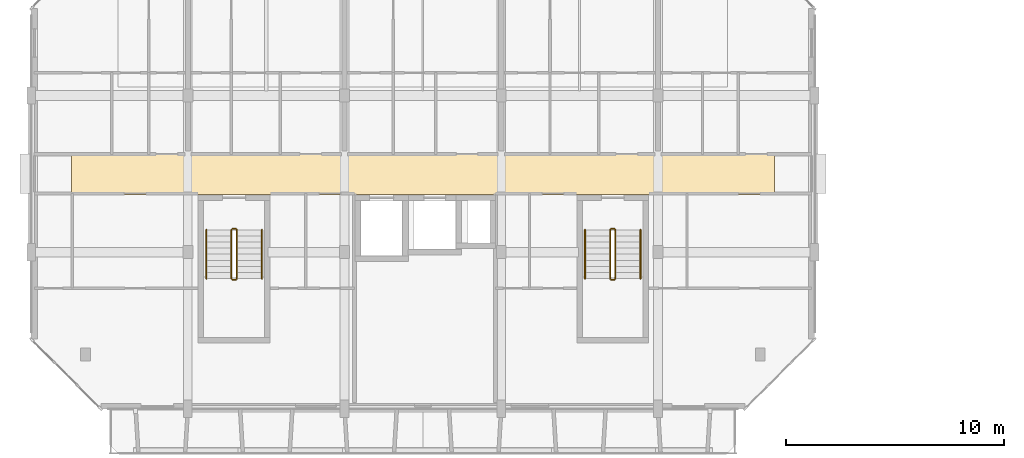
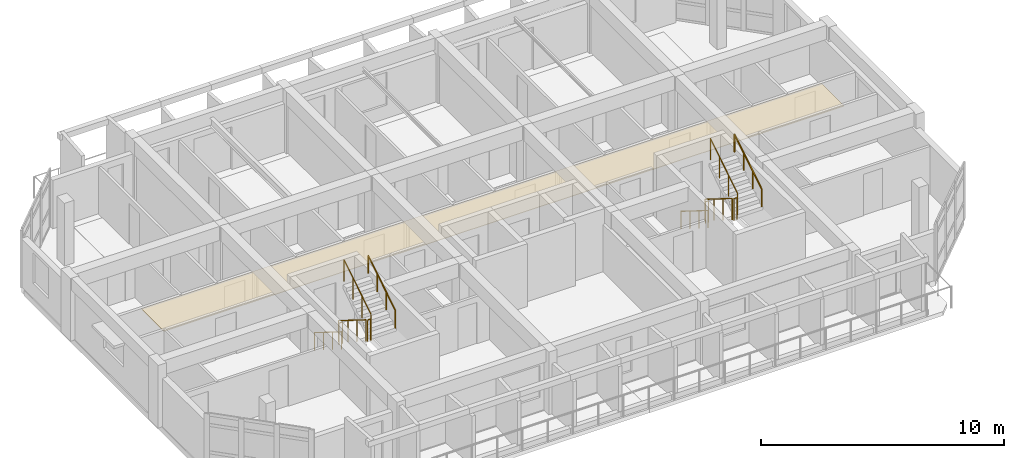
# One storey, part 38 of 44: 12 railings, 1 covering.
"""IFC4 building model written with IfcOpenShell, lengths in metres."""

import ifcopenshell
import ifcopenshell.guid

model = None  # the IFC model being written
_history = None  # IfcOwnerHistory: only IFC2X3 demands one
_inside = {}  # id of a spatial element -> (the spatial element, [elements in it])
_under = {}  # id of a project, library or spatial element -> (it, [spatial elements below it])
_declared = {}  # id of a project -> (the project, [libraries it declares])
_typed = {}  # id of a type object -> (the type object, [elements of that type])
_made_of = {}  # id of a material, layer set ... -> (it, [elements and type objects made of it])


def new_model(schema):
    """Start an empty IFC model of exactly this schema.

    Asked for "IFC4X3", IfcOpenShell would pick the latest addendum, in which some entities
    have other attributes; the version numbers below select the first issue.
    IFC2X3 requires an IfcOwnerHistory on every rooted entity: one is made here for all.
    """
    global model, _history
    if schema == "IFC4X3":
        model = ifcopenshell.file(schema_version=(4, 3, 0, 0))
    else:
        model = ifcopenshell.file(schema=schema)
    _inside.clear()
    _under.clear()
    _declared.clear()
    _typed.clear()
    _made_of.clear()
    _history = None
    if model.schema == "IFC2X3":
        org = make("IfcOrganization", Name="unknown")
        user = make(
            "IfcPersonAndOrganization",
            ThePerson=make("IfcPerson", FamilyName="unknown"),
            TheOrganization=org,
        )
        app = make(
            "IfcApplication",
            ApplicationDeveloper=org,
            Version="unknown",
            ApplicationFullName="unknown",
            ApplicationIdentifier="unknown",
        )
        _history = make(
            "IfcOwnerHistory",
            OwningUser=user,
            OwningApplication=app,
            ChangeAction="ADDED",
            CreationDate=0,
        )
    return model


def make(cls, **values):
    """One entity of the class cls with the attributes given. An attribute that is None is left unset."""
    return model.create_entity(
        cls, **{name: value for name, value in values.items() if value is not None}
    )


def rooted(cls, **values):
    """An entity with a GlobalId (a new one), such as an element, a storey or a relation."""
    return make(cls, GlobalId=ifcopenshell.guid.new(), OwnerHistory=_history, **values)


def si_unit(unit_type, name, prefix=None):
    """IfcSIUnit, for example si_unit("LENGTHUNIT", "METRE", prefix="MILLI")."""
    return make("IfcSIUnit", UnitType=unit_type, Prefix=prefix, Name=name)


def assignment(units):
    """IfcUnitAssignment: the units of a project."""
    return None if units is None else make("IfcUnitAssignment", Units=units)


def point(xyz):
    """IfcCartesianPoint."""
    return None if xyz is None else make("IfcCartesianPoint", Coordinates=xyz)


def direction(xyz):
    """IfcDirection."""
    return None if xyz is None else make("IfcDirection", DirectionRatios=xyz)


def frame(location, z_axis=None, x_axis=None):
    """IfcAxis2Placement3D, a coordinate frame: its origin and axes. An axis left out is left unset."""
    return make(
        "IfcAxis2Placement3D",
        Location=point(location),
        Axis=direction(z_axis),
        RefDirection=direction(x_axis),
    )


def frame_2d(location, x_axis=None):
    """IfcAxis2Placement2D, a coordinate frame in the plane: its origin and x axis."""
    return make(
        "IfcAxis2Placement2D", Location=point(location), RefDirection=direction(x_axis)
    )


def origin():
    """The frame at (0, 0, 0) with its axes left unset."""
    return frame((0.0, 0.0, 0.0))


def origin_2d():
    """The frame at (0, 0) in the plane with its x axis left unset."""
    return frame_2d((0.0, 0.0))


def place(relative_to, where):
    """IfcLocalPlacement: puts the frame where relative to a parent placement (None: the world)."""
    return make(
        "IfcLocalPlacement", PlacementRelTo=relative_to, RelativePlacement=where
    )


def context(
    kind, dimensions, precision=None, world=None, true_north=None, identifier=None
):
    """IfcGeometricRepresentationContext, for example the 3D "Model" context."""
    return make(
        "IfcGeometricRepresentationContext",
        ContextIdentifier=identifier,
        ContextType=kind,
        CoordinateSpaceDimension=dimensions,
        Precision=precision,
        WorldCoordinateSystem=world,
        TrueNorth=true_north,
    )


def subcontext(parent, identifier, kind, view, scale=None):
    """IfcGeometricRepresentationSubContext, for example "Body" below "Model"."""
    return make(
        "IfcGeometricRepresentationSubContext",
        ContextIdentifier=identifier,
        ContextType=kind,
        ParentContext=parent,
        TargetScale=scale,
        TargetView=view,
    )


def project(units=None, contexts=None):
    """IfcProject with its units and contexts."""
    return rooted(
        "IfcProject",
        Name="project",
        RepresentationContexts=contexts,
        UnitsInContext=assignment(units),
    )


def spatial(cls, under=None, at=None, **own):
    """A site, building, storey or space (cls), placed at a placement, below another one or the project."""
    s = rooted(cls, ObjectPlacement=at, **own)
    if under is not None:
        _under.setdefault(under.id(), (under, []))[1].append(s)
    return s


def polyline(points):
    """IfcPolyline through the points."""
    return make("IfcPolyline", Points=[point(p) for p in points])


def profile(cls, at=None, kind="AREA", **sizes):
    """A parametric profile (cls). Its sizes go by their IFC names, for example OverallWidth=200.0."""
    return make(cls, ProfileType=kind, Position=at, **sizes)


def circle(**sizes):
    """IfcCircleProfileDef."""
    return profile("IfcCircleProfileDef", **sizes)


def outline(outer, holes=None, kind="AREA"):
    """IfcArbitraryClosedProfileDef: a profile drawn as a closed curve; with holes, ...WithVoids."""
    if holes is None:
        return make("IfcArbitraryClosedProfileDef", ProfileType=kind, OuterCurve=outer)
    return make(
        "IfcArbitraryProfileDefWithVoids",
        ProfileType=kind,
        OuterCurve=outer,
        InnerCurves=holes,
    )


def extrude(swept, where, along, depth):
    """IfcExtrudedAreaSolid: the profile swept, set in the frame where, extruded along a direction by depth."""
    return make(
        "IfcExtrudedAreaSolid",
        SweptArea=swept,
        Position=where,
        ExtrudedDirection=direction(along),
        Depth=depth,
    )


def shape(context_of_items, identifier, shape_type, items):
    """IfcShapeRepresentation: the items that make up one representation, for example the "Body"."""
    return make(
        "IfcShapeRepresentation",
        ContextOfItems=context_of_items,
        RepresentationIdentifier=identifier,
        RepresentationType=shape_type,
        Items=items,
    )


def material(Name=None, Category=None):
    """IfcMaterial."""
    return make("IfcMaterial", Name=Name, Category=Category)


def layer(
    of_material, thickness, ventilated=None, Name=None, Category=None, Priority=None
):
    """IfcMaterialLayer: one layer of a wall or slab, of a material (None: an air gap)."""
    return make(
        "IfcMaterialLayer",
        Material=of_material,
        LayerThickness=thickness,
        IsVentilated=ventilated,
        Name=Name,
        Category=Category,
        Priority=Priority,
    )


def layer_set(layers, Name=None):
    """IfcMaterialLayerSet."""
    return make("IfcMaterialLayerSet", MaterialLayers=layers, LayerSetName=Name)


def made_of(thing, what):
    """Note that an element or type object is made of a material, layer set ...; save() writes the relation."""
    if what is not None:
        _made_of.setdefault(what.id(), (what, []))[1].append(thing)
    return thing


def type_object(cls, material=None, **own):
    """A type object (cls), such as IfcWallType, which elements share."""
    return made_of(rooted(cls, **own), material)


def element(
    cls,
    number,
    at=None,
    inside=None,
    cuts=None,
    type_object=None,
    material=None,
    context=None,
    identifier="Body",
    shape_type=None,
    held_by="IfcProductDefinitionShape",
    body=None,
    shapes=None,
    **own,
):
    """One element of the class cls, such as IfcWall. Its Tag is "e" and its number.

    at: its placement. inside: the storey or other place that contains it. cuts: it is an
    opening in that element (IfcRelVoidsElement). A single representation is given by context,
    identifier, shape_type and body (its items); several are given by shapes. held_by: the class
    of the entity that holds the representations. save() writes the other relations.
    """
    e = rooted(cls, Tag="e%d" % number, ObjectPlacement=at, **own)
    if body is not None:
        shapes = [shape(context, identifier, shape_type, body)]
    if shapes is not None:
        e.Representation = make(held_by, Representations=shapes)
    if inside is not None:
        _inside.setdefault(inside.id(), (inside, []))[1].append(e)
    if cuts is not None:
        rooted(
            "IfcRelVoidsElement", RelatingBuildingElement=cuts, RelatedOpeningElement=e
        )
    if type_object is not None:
        _typed.setdefault(type_object.id(), (type_object, []))[1].append(e)
    return made_of(e, material)


def aggregate(whole, parts):
    """IfcRelAggregates: a whole, such as a stair, and the parts it consists of."""
    return rooted("IfcRelAggregates", RelatingObject=whole, RelatedObjects=parts)


def save(model, path):
    """Write the relations noted so far, then the file.

    IfcRelAggregates (storeys below a building ...), IfcRelContainedInSpatialStructure (elements
    in a storey), IfcRelDefinesByType, IfcRelAssociatesMaterial and IfcRelDeclares: one each for
    every whole, place, type object, material and project.
    """
    for whole, parts in _under.values():
        aggregate(whole, parts)
    for where, things in _inside.values():
        rooted(
            "IfcRelContainedInSpatialStructure",
            RelatedElements=things,
            RelatingStructure=where,
        )
    for kind, things in _typed.values():
        rooted("IfcRelDefinesByType", RelatedObjects=things, RelatingType=kind)
    for what, things in _made_of.values():
        rooted("IfcRelAssociatesMaterial", RelatedObjects=things, RelatingMaterial=what)
    for by, libraries in _declared.values():
        rooted("IfcRelDeclares", RelatingContext=by, RelatedDefinitions=libraries)
    model.write(path)


model = new_model("IFC4")

# Units and contexts
model_context = context("Model", 3, precision=1e-05, world=origin(), true_north=direction((0.0, 1.0)))
body_context = subcontext(model_context, "Body", "Model", "MODEL_VIEW")
ifc_project = project(units=[si_unit("LENGTHUNIT", "METRE"), si_unit("AREAUNIT", "SQUARE_METRE"), si_unit("VOLUMEUNIT", "CUBIC_METRE"), si_unit("PLANEANGLEUNIT", "RADIAN"), si_unit("MASSUNIT", "GRAM", prefix="KILO")], contexts=[model_context])

# Site, building, storey
site_placement = place(None, origin())
site = spatial("IfcSite", under=ifc_project, at=site_placement, CompositionType="ELEMENT")
building_placement = place(site_placement, origin())
building = spatial("IfcBuilding", under=site, at=building_placement, Name="Ochrevale Crest", CompositionType="ELEMENT")
storey_placement = place(building_placement, frame((0.0, 0.0, 21.300048828125)))
storey = spatial("IfcBuildingStorey", under=building, at=storey_placement, Name="L06", CompositionType="ELEMENT", Elevation=21.300048828125)

# Covering
ifc_material_1 = material(Name="Gypsum plasterboard", Category="gypsum")
ifc_layer = layer(ifc_material_1, 0.02490234375)
ifc_layer_set = layer_set([ifc_layer], Name="Gypsum plasterboard")
covering_type = type_object("IfcCoveringType", Name="COV-CEIL-GYP", PredefinedType="CEILING", material=ifc_layer_set)
covering_placement = place(storey_placement, frame((0.0, 0.0, 2.280029296875)))
element("IfcCovering", 1, at=covering_placement, inside=storey, type_object=covering_type, Name="Block B L06 acoustic corridor ceiling", PredefinedType="CEILING", context=body_context, shape_type="SweptSolid", body=[
    extrude(outline(polyline([(1.85009765625, 81.860107421875), (34.14990234375, 81.860107421875), (34.14990234375, 83.739990234375), (1.85009765625, 83.739990234375), (1.85009765625, 81.860107421875)])), origin(), (0.0, 0.0, 1.0), 0.02490234375),
])

# Railings
ifc_material_2 = material(Name="Galvanised steel", Category="steel")
railing_type_1 = type_object("IfcRailingType", Name="RL-ST-GUARD", PredefinedType="BALUSTRADE", material=ifc_material_2)
railing_1_placement = place(storey_placement, frame((9.199951171875, 80.22509765625, 0.175048828125)))
element("IfcRailing", 2, at=railing_1_placement, inside=storey, type_object=railing_type_1, Name="L06 ST-B1 stair guard 1", PredefinedType="BALUSTRADE", context=body_context, shape_type="SweptSolid", body=[
    extrude(circle(Radius=0.02392578125, at=origin_2d()), frame((0.0, 0.0, 1.076171875), z_axis=(0.0, -0.848013881152, 0.529974015752), x_axis=(1.0, 0.0, 0.0)), (0.0, 0.0, 1.0), 2.641357421875),
    extrude(circle(Radius=0.02099609375, at=origin_2d()), origin(), (0.0, 0.0, 1.0), 1.052001953125),
    extrude(circle(Radius=0.02099609375, at=origin_2d()), frame((0.0, -0.74658203125, 0.466552734375)), (0.0, 0.0, 1.0), 1.052001953125),
    extrude(circle(Radius=0.02099609375, at=origin_2d()), frame((0.0, -1.493408203125, 0.933349609375)), (0.0, 0.0, 1.0), 1.052001953125),
    extrude(circle(Radius=0.02099609375, at=origin_2d()), frame((0.0, -2.239990234375, 1.39990234375)), (0.0, 0.0, 1.0), 1.052001953125),
])
railing_2_placement = place(storey_placement, frame((9.25, 77.93505859375, 1.574951171875)))
element("IfcRailing", 3, at=railing_2_placement, inside=storey, type_object=railing_type_1, Name="L06 ST-B1 stair guard 2", PredefinedType="BALUSTRADE", context=body_context, shape_type="SweptSolid", body=[
    extrude(circle(Radius=0.02392578125, at=origin_2d()), frame((0.0, 0.0, 1.076171875), z_axis=(1.0, 0.0, 0.0), x_axis=(0.0, 1.0, 0.0)), (0.0, 0.0, 1.0), 0.14990234375),
    extrude(circle(Radius=0.02099609375, at=origin_2d()), origin(), (0.0, 0.0, 1.0), 1.052001953125),
    extrude(circle(Radius=0.02099609375, at=origin_2d()), frame((0.14990234375, 0.0, 0.0)), (0.0, 0.0, 1.0), 1.052001953125),
])
railing_3_placement = place(storey_placement, frame((9.449951171875, 77.985107421875, 1.75)))
element("IfcRailing", 4, at=railing_3_placement, inside=storey, type_object=railing_type_1, Name="L06 ST-B1 stair guard 3", PredefinedType="BALUSTRADE", context=body_context, shape_type="SweptSolid", body=[
    extrude(circle(Radius=0.02392578125, at=origin_2d()), frame((0.0, 0.0, 1.076171875), z_axis=(0.0, 0.848013881152, 0.529974015752), x_axis=(-1.0, 0.0, 0.0)), (0.0, 0.0, 1.0), 2.641357421875),
    extrude(circle(Radius=0.02099609375, at=origin_2d()), origin(), (0.0, 0.0, 1.0), 1.052001953125),
    extrude(circle(Radius=0.02099609375, at=origin_2d()), frame((0.0, 0.74658203125, 0.466552734375)), (0.0, 0.0, 1.0), 1.052001953125),
    extrude(circle(Radius=0.02099609375, at=origin_2d()), frame((0.0, 1.493408203125, 0.933349609375)), (0.0, 0.0, 1.0), 1.052001953125),
    extrude(circle(Radius=0.02099609375, at=origin_2d()), frame((0.0, 2.239990234375, 1.39990234375)), (0.0, 0.0, 1.0), 1.052001953125),
])
railing_4_placement = place(storey_placement, frame((9.25, 80.27490234375, 0.0)))
element("IfcRailing", 5, at=railing_4_placement, inside=storey, type_object=railing_type_1, Name="L06 ST-B1 stair guard 4", PredefinedType="BALUSTRADE", context=body_context, shape_type="SweptSolid", body=[
    extrude(circle(Radius=0.02392578125, at=origin_2d()), frame((0.0, 0.0, 1.076171875), z_axis=(1.0, 0.0, 0.0), x_axis=(0.0, 1.0, 0.0)), (0.0, 0.0, 1.0), 0.14990234375),
    extrude(circle(Radius=0.02099609375, at=origin_2d()), origin(), (0.0, 0.0, 1.0), 1.052001953125),
    extrude(circle(Radius=0.02099609375, at=origin_2d()), frame((0.14990234375, 0.0, 0.0)), (0.0, 0.0, 1.0), 1.052001953125),
])
railing_5_placement = place(storey_placement, frame((26.60009765625, 80.22509765625, 0.175048828125)))
element("IfcRailing", 6, at=railing_5_placement, inside=storey, type_object=railing_type_1, Name="L06 ST-B2 stair guard 1", PredefinedType="BALUSTRADE", context=body_context, shape_type="SweptSolid", body=[
    extrude(circle(Radius=0.02392578125, at=origin_2d()), frame((0.0, 0.0, 1.076171875), z_axis=(0.0, -0.848013881152, 0.529974015752), x_axis=(1.0, 0.0, 0.0)), (0.0, 0.0, 1.0), 2.641357421875),
    extrude(circle(Radius=0.02099609375, at=origin_2d()), origin(), (0.0, 0.0, 1.0), 1.052001953125),
    extrude(circle(Radius=0.02099609375, at=origin_2d()), frame((0.0, -0.74658203125, 0.466552734375)), (0.0, 0.0, 1.0), 1.052001953125),
    extrude(circle(Radius=0.02099609375, at=origin_2d()), frame((0.0, -1.493408203125, 0.933349609375)), (0.0, 0.0, 1.0), 1.052001953125),
    extrude(circle(Radius=0.02099609375, at=origin_2d()), frame((0.0, -2.239990234375, 1.39990234375)), (0.0, 0.0, 1.0), 1.052001953125),
])
railing_6_placement = place(storey_placement, frame((26.64990234375, 77.93505859375, 1.574951171875)))
element("IfcRailing", 7, at=railing_6_placement, inside=storey, type_object=railing_type_1, Name="L06 ST-B2 stair guard 2", PredefinedType="BALUSTRADE", context=body_context, shape_type="SweptSolid", body=[
    extrude(circle(Radius=0.02392578125, at=origin_2d()), frame((0.0, 0.0, 1.076171875), z_axis=(1.0, 0.0, 0.0), x_axis=(0.0, 1.0, 0.0)), (0.0, 0.0, 1.0), 0.150146484375),
    extrude(circle(Radius=0.02099609375, at=origin_2d()), origin(), (0.0, 0.0, 1.0), 1.052001953125),
    extrude(circle(Radius=0.02099609375, at=origin_2d()), frame((0.150146484375, 0.0, 0.0)), (0.0, 0.0, 1.0), 1.052001953125),
])
railing_7_placement = place(storey_placement, frame((26.85009765625, 77.985107421875, 1.75)))
element("IfcRailing", 8, at=railing_7_placement, inside=storey, type_object=railing_type_1, Name="L06 ST-B2 stair guard 3", PredefinedType="BALUSTRADE", context=body_context, shape_type="SweptSolid", body=[
    extrude(circle(Radius=0.02392578125, at=origin_2d()), frame((0.0, 0.0, 1.076171875), z_axis=(0.0, 0.848013881152, 0.529974015752), x_axis=(-1.0, 0.0, 0.0)), (0.0, 0.0, 1.0), 2.641357421875),
    extrude(circle(Radius=0.02099609375, at=origin_2d()), origin(), (0.0, 0.0, 1.0), 1.052001953125),
    extrude(circle(Radius=0.02099609375, at=origin_2d()), frame((0.0, 0.74658203125, 0.466552734375)), (0.0, 0.0, 1.0), 1.052001953125),
    extrude(circle(Radius=0.02099609375, at=origin_2d()), frame((0.0, 1.493408203125, 0.933349609375)), (0.0, 0.0, 1.0), 1.052001953125),
    extrude(circle(Radius=0.02099609375, at=origin_2d()), frame((0.0, 2.239990234375, 1.39990234375)), (0.0, 0.0, 1.0), 1.052001953125),
])
railing_8_placement = place(storey_placement, frame((26.64990234375, 80.27490234375, 0.0)))
element("IfcRailing", 9, at=railing_8_placement, inside=storey, type_object=railing_type_1, Name="L06 ST-B2 stair guard 4", PredefinedType="BALUSTRADE", context=body_context, shape_type="SweptSolid", body=[
    extrude(circle(Radius=0.02392578125, at=origin_2d()), frame((0.0, 0.0, 1.076171875), z_axis=(1.0, 0.0, 0.0), x_axis=(0.0, 1.0, 0.0)), (0.0, 0.0, 1.0), 0.150146484375),
    extrude(circle(Radius=0.02099609375, at=origin_2d()), origin(), (0.0, 0.0, 1.0), 1.052001953125),
    extrude(circle(Radius=0.02099609375, at=origin_2d()), frame((0.150146484375, 0.0, 0.0)), (0.0, 0.0, 1.0), 1.052001953125),
])
ifc_material_3 = material(Name="Stainless steel", Category="steel")
railing_type_2 = type_object("IfcRailingType", Name="RL-ST-HRAIL", PredefinedType="HANDRAIL", material=ifc_material_3)
railing_9_placement = place(storey_placement, frame((8.050048828125, 80.22509765625, 0.175048828125)))
element("IfcRailing", 10, at=railing_9_placement, inside=storey, type_object=railing_type_2, Name="L06 ST-B1 stair handrail 1", PredefinedType="HANDRAIL", context=body_context, shape_type="SweptSolid", body=[
    extrude(circle(Radius=0.02392578125, at=origin_2d()), frame((0.0, 0.0, 0.8759765625), z_axis=(0.0, -0.848013881152, 0.529974015752), x_axis=(1.0, 0.0, 0.0)), (0.0, 0.0, 1.0), 2.641357421875),
    extrude(circle(Radius=0.02099609375, at=origin_2d()), origin(), (0.0, 0.0, 1.0), 0.851806640625),
    extrude(circle(Radius=0.02099609375, at=origin_2d()), frame((0.0, -0.74658203125, 0.466552734375)), (0.0, 0.0, 1.0), 0.851806640625),
    extrude(circle(Radius=0.02099609375, at=origin_2d()), frame((0.0, -1.493408203125, 0.933349609375)), (0.0, 0.0, 1.0), 0.851806640625),
    extrude(circle(Radius=0.02099609375, at=origin_2d()), frame((0.0, -2.239990234375, 1.39990234375)), (0.0, 0.0, 1.0), 0.851806640625),
])
railing_10_placement = place(storey_placement, frame((10.60009765625, 77.985107421875, 1.75)))
element("IfcRailing", 11, at=railing_10_placement, inside=storey, type_object=railing_type_2, Name="L06 ST-B1 stair handrail 2", PredefinedType="HANDRAIL", context=body_context, shape_type="SweptSolid", body=[
    extrude(circle(Radius=0.02392578125, at=origin_2d()), frame((0.0, 0.0, 0.8759765625), z_axis=(0.0, 0.848013881152, 0.529974015752), x_axis=(-1.0, 0.0, 0.0)), (0.0, 0.0, 1.0), 2.641357421875),
    extrude(circle(Radius=0.02099609375, at=origin_2d()), origin(), (0.0, 0.0, 1.0), 0.851806640625),
    extrude(circle(Radius=0.02099609375, at=origin_2d()), frame((0.0, 0.74658203125, 0.466552734375)), (0.0, 0.0, 1.0), 0.851806640625),
    extrude(circle(Radius=0.02099609375, at=origin_2d()), frame((0.0, 1.493408203125, 0.933349609375)), (0.0, 0.0, 1.0), 0.851806640625),
    extrude(circle(Radius=0.02099609375, at=origin_2d()), frame((0.0, 2.239990234375, 1.39990234375)), (0.0, 0.0, 1.0), 0.851806640625),
])
railing_11_placement = place(storey_placement, frame((25.449951171875, 80.22509765625, 0.175048828125)))
element("IfcRailing", 12, at=railing_11_placement, inside=storey, type_object=railing_type_2, Name="L06 ST-B2 stair handrail 1", PredefinedType="HANDRAIL", context=body_context, shape_type="SweptSolid", body=[
    extrude(circle(Radius=0.02392578125, at=origin_2d()), frame((0.0, 0.0, 0.8759765625), z_axis=(0.0, -0.848013881152, 0.529974015752), x_axis=(1.0, 0.0, 0.0)), (0.0, 0.0, 1.0), 2.641357421875),
    extrude(circle(Radius=0.02099609375, at=origin_2d()), origin(), (0.0, 0.0, 1.0), 0.851806640625),
    extrude(circle(Radius=0.02099609375, at=origin_2d()), frame((0.0, -0.74658203125, 0.466552734375)), (0.0, 0.0, 1.0), 0.851806640625),
    extrude(circle(Radius=0.02099609375, at=origin_2d()), frame((0.0, -1.493408203125, 0.933349609375)), (0.0, 0.0, 1.0), 0.851806640625),
    extrude(circle(Radius=0.02099609375, at=origin_2d()), frame((0.0, -2.239990234375, 1.39990234375)), (0.0, 0.0, 1.0), 0.851806640625),
])
railing_12_placement = place(storey_placement, frame((28.0, 77.985107421875, 1.75)))
element("IfcRailing", 13, at=railing_12_placement, inside=storey, type_object=railing_type_2, Name="L06 ST-B2 stair handrail 2", PredefinedType="HANDRAIL", context=body_context, shape_type="SweptSolid", body=[
    extrude(circle(Radius=0.02392578125, at=origin_2d()), frame((0.0, 0.0, 0.8759765625), z_axis=(0.0, 0.848013881152, 0.529974015752), x_axis=(-1.0, 0.0, 0.0)), (0.0, 0.0, 1.0), 2.641357421875),
    extrude(circle(Radius=0.02099609375, at=origin_2d()), origin(), (0.0, 0.0, 1.0), 0.851806640625),
    extrude(circle(Radius=0.02099609375, at=origin_2d()), frame((0.0, 0.74658203125, 0.466552734375)), (0.0, 0.0, 1.0), 0.851806640625),
    extrude(circle(Radius=0.02099609375, at=origin_2d()), frame((0.0, 1.493408203125, 0.933349609375)), (0.0, 0.0, 1.0), 0.851806640625),
    extrude(circle(Radius=0.02099609375, at=origin_2d()), frame((0.0, 2.239990234375, 1.39990234375)), (0.0, 0.0, 1.0), 0.851806640625),
])

save(model, "model.ifc")
